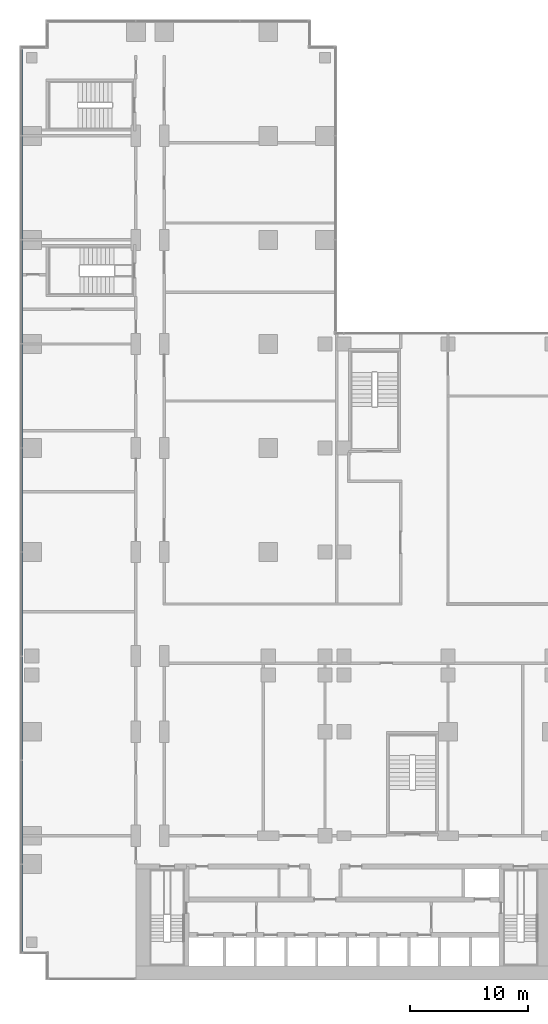
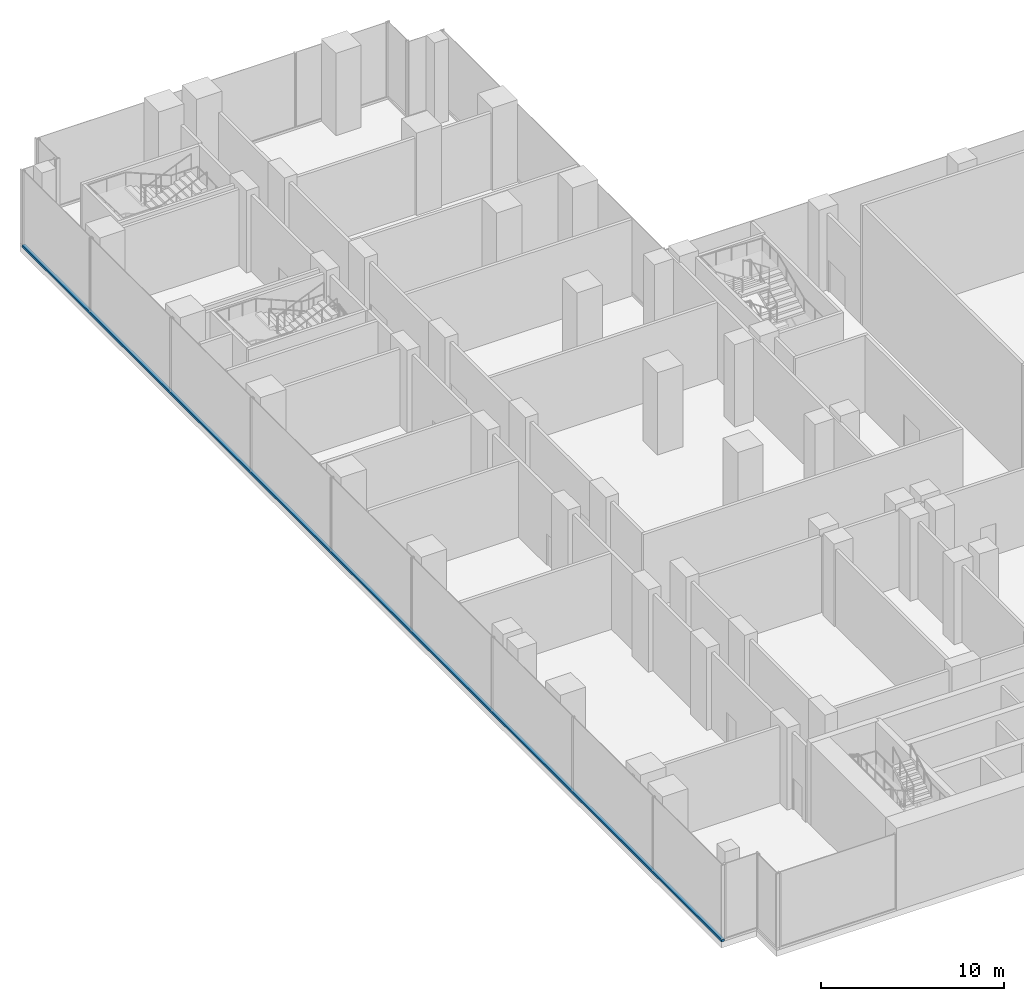
# One storey, part 6 of 30: 1 member, 1 element without a shape of its own.
"""IFC4 building model written with IfcOpenShell, lengths in metres."""

from ifc_helpers import new_model, si_unit, direction, frame, origin, origin_2d, place, context, subcontext, project, spatial, rectangle, extrude, material, material_profile, profile_set, type_object, element, aggregate, save


model = new_model("IFC4")

# Units and contexts
model_context = context("Model", 3, precision=1e-05, world=origin(), true_north=direction((0.0, 1.0)))
body_context = subcontext(model_context, "Body", "Model", "MODEL_VIEW")
ifc_project = project(units=[si_unit("LENGTHUNIT", "METRE"), si_unit("AREAUNIT", "SQUARE_METRE"), si_unit("VOLUMEUNIT", "CUBIC_METRE"), si_unit("PLANEANGLEUNIT", "RADIAN"), si_unit("MASSUNIT", "GRAM", prefix="KILO")], contexts=[model_context])

# Site, building, storey
site_placement = place(None, origin())
site = spatial("IfcSite", under=ifc_project, at=site_placement, CompositionType="ELEMENT")
building_placement = place(site_placement, origin())
building = spatial("IfcBuilding", under=site, at=building_placement, Name="Kemantara Hotel Tower", CompositionType="ELEMENT")
storey_placement = place(building_placement, frame((0.0, 0.0, 18.0)))
storey = spatial("IfcBuildingStorey", under=building, at=storey_placement, Name="L03", CompositionType="ELEMENT", Elevation=18.0)

# Curtain wall, member
ifc_material_1 = material(Name="Laminated tinted insulated glass 44 mm", Category="glass")
curtain_wall_type = type_object("IfcCurtainWallType", Name="PODIUM GLASS CURTAIN WALL", PredefinedType="USERDEFINED", material=ifc_material_1)
curtain_wall_placement = place(storey_placement, origin())
curtain_wall = element("IfcCurtainWall", 1, at=curtain_wall_placement, inside=storey, type_object=curtain_wall_type, Name="CW1 L03 POD-R16-1", ObjectType="PODIUM GLASS CURTAIN WALL", PredefinedType="USERDEFINED")
ifc_material_2 = material(Name="Aluminium 6063-T6 bronze anodised", Category="aluminium")
ifc_material_profile = material_profile(ifc_material_2, rectangle(XDim=0.199951171875, YDim=0.14990234375, at=origin_2d()), Name="PODIUM GLASS CURTAIN WALL TRANSOM")
ifc_profile_set = profile_set([ifc_material_profile], Name="Aluminium 6063-T6 bronze anodised")
member_type = type_object("IfcMemberType", Name="PODIUM GLASS CURTAIN WALL TRANSOM", PredefinedType="USERDEFINED", material=ifc_profile_set)
member_placement = place(storey_placement, frame((0.10009765625, 78.800048828125, 0.074951171875), z_axis=(0.0, -1.0, 0.0), x_axis=(1.0, 0.0, 0.0)))
member = element("IfcMember", 2, at=member_placement, type_object=member_type, Name="CW1 sill transom POD-R16-1", ObjectType="TRANSOM", PredefinedType="USERDEFINED", context=body_context, shape_type="SweptSolid", body=[
    extrude(rectangle(XDim=0.199951171875, YDim=0.14990234375, at=origin_2d()), origin(), (0.0, 0.0, 1.0), 76.60009765625),
])
aggregate(curtain_wall, [member])

save(model, "model.ifc")
